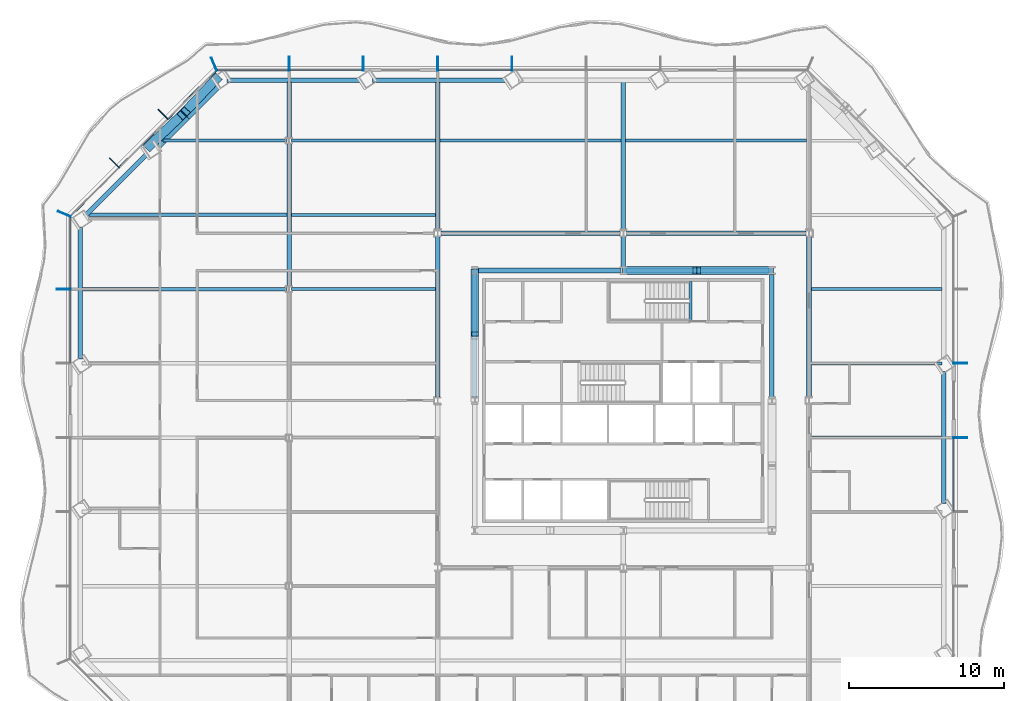
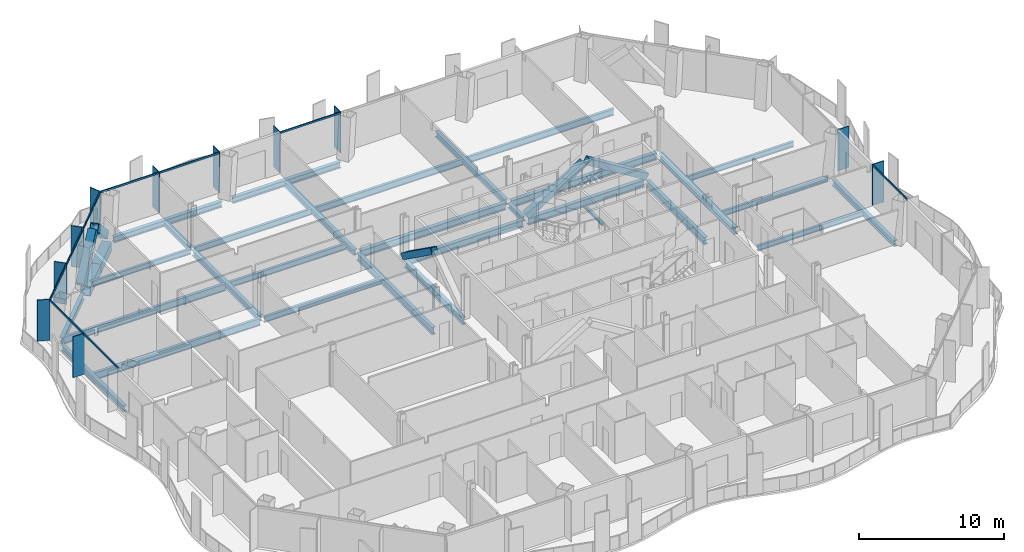
# One storey, part 3 of 20: 32 beams, 25 members, 4 elements without a shape of their own.
"""IFC4 building model written with IfcOpenShell, lengths in metres."""

from ifc_helpers import new_model, si_unit, direction, frame, origin, origin_2d, place, context, subcontext, project, spatial, rectangle, hollow_rectangle, i_section, extrude, material, material_profile, profile_set, type_object, element, aggregate, save


model = new_model("IFC4")

# Units and contexts
model_context = context("Model", 3, precision=1e-05, world=origin(), true_north=direction((0.0, 1.0)))
body_context = subcontext(model_context, "Body", "Model", "MODEL_VIEW")
ifc_project = project(units=[si_unit("LENGTHUNIT", "METRE"), si_unit("AREAUNIT", "SQUARE_METRE"), si_unit("VOLUMEUNIT", "CUBIC_METRE"), si_unit("PLANEANGLEUNIT", "RADIAN"), si_unit("MASSUNIT", "GRAM", prefix="KILO")], contexts=[model_context])

# Site, building, storey
site_placement = place(None, origin())
site = spatial("IfcSite", under=ifc_project, at=site_placement, CompositionType="ELEMENT")
building_placement = place(site_placement, origin())
building = spatial("IfcBuilding", under=site, at=building_placement, Name="Cairn Pilgrim Tower", CompositionType="ELEMENT")
storey_placement = place(building_placement, frame((0.0, 0.0, 87.0)))
storey = spatial("IfcBuildingStorey", under=building, at=storey_placement, Name="L20", CompositionType="ELEMENT", Elevation=87.0)

# Members
ifc_material_1 = material(Name="Structural steel S460M", Category="steel")
ifc_material_profile_1 = material_profile(ifc_material_1, hollow_rectangle(XDim=0.5, YDim=0.5, WallThickness=0.030029296875, at=origin_2d()), Name="BOX 500x500x30")
ifc_profile_set_1 = profile_set([ifc_material_profile_1], Name="Structural steel S460M")
member_type_1 = type_object("IfcMemberType", Name="BOX 500x500x30 BRACE", PredefinedType="BRACE", material=ifc_profile_set_1)
member_1_placement = place(storey_placement, frame((16.75634765625, 10.800048828125, 0.10009765625), z_axis=(-0.851022151122, 0.0, 0.52512979186), x_axis=(0.0, -1.0, 0.0)))
element("IfcMember", 1, at=member_1_placement, inside=storey, type_object=member_type_1, Name="KB-3A", PredefinedType="BRACE", context=body_context, shape_type="SweptSolid", body=[
    extrude(hollow_rectangle(XDim=0.5, YDim=0.5, WallThickness=0.030029296875, at=origin_2d()), origin(), (0.0, 0.0, 1.0), 5.5263671875),
])
member_2_placement = place(storey_placement, frame((7.24365234375, 10.800048828125, 0.10009765625), z_axis=(0.851007515624, 0.0, 0.525153509321), x_axis=(0.0, 1.0, 0.0)))
element("IfcMember", 2, at=member_2_placement, inside=storey, type_object=member_type_1, Name="KB-3B", PredefinedType="BRACE", context=body_context, shape_type="SweptSolid", body=[
    extrude(hollow_rectangle(XDim=0.5, YDim=0.5, WallThickness=0.030029296875, at=origin_2d()), origin(), (0.0, 0.0, 1.0), 5.37646484375),
])
member_3_placement = place(storey_placement, frame((-2.39990234375, 10.75634765625, 0.10009765625), z_axis=(0.0, -0.814198726233, 0.580586284889), x_axis=(1.0, 0.0, 0.0)))
element("IfcMember", 3, at=member_3_placement, inside=storey, type_object=member_type_1, Name="KB-4A", PredefinedType="BRACE", context=body_context, shape_type="SweptSolid", body=[
    extrude(hollow_rectangle(XDim=0.5, YDim=0.5, WallThickness=0.030029296875, at=origin_2d()), origin(), (0.0, 0.0, 1.0), 4.99658203125),
])
ifc_material_profile_2 = material_profile(ifc_material_1, hollow_rectangle(XDim=0.60009765625, YDim=0.60009765625, WallThickness=0.034912109375, at=origin_2d()), Name="BOX 600x600x35")
ifc_profile_set_2 = profile_set([ifc_material_profile_2], Name="Structural steel S460M")
member_type_2 = type_object("IfcMemberType", Name="BOX 600x600x35 BRACE", PredefinedType="BRACE", material=ifc_profile_set_2)
for number, where, z_axis, x_axis, name in (
    (4, (-19.078125, 23.2236328125, 0.14990234375), (-0.514650291012, -0.542968369226, 0.663566445792), (0.725779676065, -0.687927221304, 0.0), "XB-NW1-NW2-1"),
    (5, (-23.4873046875, 18.814697265625, 0.14990234375), (0.542968369226, 0.514650291012, 0.663566445792), (-0.687927221304, 0.725779676065, 0.0), "XB-NW1-NW2-2"),
):
    element("IfcMember", number, at=place(storey_placement, frame(where, z_axis=z_axis, x_axis=x_axis)), inside=storey, type_object=member_type_2, Name=name, PredefinedType="BRACE", context=body_context, shape_type="SweptSolid", body=[
        extrude(hollow_rectangle(XDim=0.60009765625, YDim=0.60009765625, WallThickness=0.034912109375, at=origin_2d()), origin(), (0.0, 0.0, 1.0), 3.9658203125),
    ])

# Beams
ifc_material_2 = material(Name="Structural steel S355J2", Category="steel")
ifc_material_profile_3 = material_profile(ifc_material_2, hollow_rectangle(XDim=0.699951171875, YDim=0.800048828125, WallThickness=0.0400390625, at=origin_2d()), Name="BOX 700x800x40")
ifc_profile_set_3 = profile_set([ifc_material_profile_3], Name="Structural steel S355J2")
beam_type_1 = type_object("IfcBeamType", Name="BOX 700x800x40 RING GIRDER", PredefinedType="SPANDREL", material=ifc_profile_set_3)
beam_1_placement = place(storey_placement, frame((-19.113525390625, 22.813720703125, -0.550048828125), z_axis=(-0.707106781187, -0.707106781187, 0.0), x_axis=(0.707106781187, -0.707106781187, 0.0)))
element("IfcBeam", 6, at=beam_1_placement, inside=storey, type_object=beam_type_1, Name="RG1-NW1-NW2-1", PredefinedType="SPANDREL", context=body_context, shape_type="SweptSolid", body=[
    extrude(hollow_rectangle(XDim=0.699951171875, YDim=0.800048828125, WallThickness=0.0400390625, at=origin_2d()), origin(), (0.0, 0.0, 1.0), 2.802978515625),
])
beam_2_placement = place(storey_placement, frame((-21.095458984375, 20.831787109375, -0.550048828125), z_axis=(-0.707106781187, -0.707106781187, 0.0), x_axis=(0.707106781187, -0.707106781187, 0.0)))
element("IfcBeam", 7, at=beam_2_placement, inside=storey, type_object=beam_type_1, Name="RG1-NW1-NW2-2", PredefinedType="SPANDREL", context=body_context, shape_type="SweptSolid", body=[
    extrude(hollow_rectangle(XDim=0.699951171875, YDim=0.800048828125, WallThickness=0.0400390625, at=origin_2d()), origin(), (0.0, 0.0, 1.0), 2.802490234375),
])

# Curtain wall, members
ifc_material_3 = material(Name="Aluminium alloy 6063-T6 bronze anodised with Bronze tinted laminated low-E glass 8+16+8.8", Category="aluminium")
curtain_wall_type_1 = type_object("IfcCurtainWallType", Name="TOWER STICK CURTAIN WALL EW", PredefinedType="NOTDEFINED", material=ifc_material_3)
curtain_wall_1_placement = place(storey_placement, origin())
curtain_wall_1 = element("IfcCurtainWall", 8, at=curtain_wall_1_placement, inside=storey, type_object=curtain_wall_type_1, Name="Tower Stick Curtain Wall Ew E", PredefinedType="NOTDEFINED")
ifc_material_4 = material(Name="Aluminium alloy 6063-T6 bronze anodised", Category="aluminium")
ifc_material_profile_4 = material_profile(ifc_material_4, rectangle(XDim=0.89990234375, YDim=0.06005859375, at=origin_2d()), Name="FIN MULLION 60x900 BRONZE")
ifc_profile_set_4 = profile_set([ifc_material_profile_4], Name="Aluminium alloy 6063-T6 bronze anodised")
member_type_3 = type_object("IfcMemberType", Name="FIN MULLION 60x900 BRONZE", PredefinedType="MULLION", material=ifc_profile_set_4)
member_4_placement = place(storey_placement, frame((28.969970703125, 0.0, 0.0), z_axis=(0.0, 0.0, 1.0), x_axis=(1.0, 0.0, 0.0)))
member_4 = element("IfcMember", 9, at=member_4_placement, type_object=member_type_3, Name="Fin mullion E4", PredefinedType="MULLION", context=body_context, shape_type="SweptSolid", body=[
    extrude(rectangle(XDim=0.89990234375, YDim=0.06005859375, at=origin_2d()), origin(), (0.0, 0.0, 1.0), 3.449951171875),
])
member_5_placement = place(storey_placement, frame((28.969970703125, 4.800048828125, 0.0), z_axis=(0.0, 0.0, 1.0), x_axis=(1.0, 0.0, 0.0)))
member_5 = element("IfcMember", 10, at=member_5_placement, type_object=member_type_3, Name="Fin mullion E5", PredefinedType="MULLION", context=body_context, shape_type="SweptSolid", body=[
    extrude(rectangle(XDim=0.89990234375, YDim=0.06005859375, at=origin_2d()), origin(), (0.0, 0.0, 1.0), 3.449951171875),
])

curtain_wall_type_2 = type_object("IfcCurtainWallType", Name="TOWER STICK CURTAIN WALL NS", PredefinedType="NOTDEFINED", material=ifc_material_3)
curtain_wall_2_placement = place(storey_placement, origin())
curtain_wall_2 = element("IfcCurtainWall", 11, at=curtain_wall_2_placement, inside=storey, type_object=curtain_wall_type_2, Name="Tower Stick Curtain Wall Ns N", PredefinedType="NOTDEFINED")
member_6_placement = place(storey_placement, frame((0.0, 24.169921875, 0.0), z_axis=(0.0, 0.0, 1.0), x_axis=(0.0, 1.0, 0.0)))
member_6 = element("IfcMember", 12, at=member_6_placement, type_object=member_type_3, Name="Fin mullion N5", PredefinedType="MULLION", context=body_context, shape_type="SweptSolid", body=[
    extrude(rectangle(XDim=0.89990234375, YDim=0.06005859375, at=origin_2d()), origin(), (0.0, 0.0, 1.0), 3.449951171875),
])
member_7_placement = place(storey_placement, frame((-4.800048828125, 24.169921875, 0.0), z_axis=(0.0, 0.0, 1.0), x_axis=(0.0, 1.0, 0.0)))
member_7 = element("IfcMember", 13, at=member_7_placement, type_object=member_type_3, Name="Fin mullion N6", PredefinedType="MULLION", context=body_context, shape_type="SweptSolid", body=[
    extrude(rectangle(XDim=0.89990234375, YDim=0.06005859375, at=origin_2d()), origin(), (0.0, 0.0, 1.0), 3.449951171875),
])
member_8_placement = place(storey_placement, frame((-9.60009765625, 24.169921875, 0.0), z_axis=(0.0, 0.0, 1.0), x_axis=(0.0, 1.0, 0.0)))
member_8 = element("IfcMember", 14, at=member_8_placement, type_object=member_type_3, Name="Fin mullion N7", PredefinedType="MULLION", context=body_context, shape_type="SweptSolid", body=[
    extrude(rectangle(XDim=0.89990234375, YDim=0.06005859375, at=origin_2d()), origin(), (0.0, 0.0, 1.0), 3.449951171875),
])
member_9_placement = place(storey_placement, frame((-14.39990234375, 24.169921875, 0.0), z_axis=(0.0, 0.0, 1.0), x_axis=(0.0, 1.0, 0.0)))
member_9 = element("IfcMember", 15, at=member_9_placement, type_object=member_type_3, Name="Fin mullion N8", PredefinedType="MULLION", context=body_context, shape_type="SweptSolid", body=[
    extrude(rectangle(XDim=0.89990234375, YDim=0.06005859375, at=origin_2d()), origin(), (0.0, 0.0, 1.0), 3.449951171875),
])

curtain_wall_type_3 = type_object("IfcCurtainWallType", Name="CHAMFER CORNER CURTAIN WALL", PredefinedType="NOTDEFINED", material=ifc_material_3)
curtain_wall_3_placement = place(storey_placement, origin())
curtain_wall_3 = element("IfcCurtainWall", 16, at=curtain_wall_3_placement, inside=storey, type_object=curtain_wall_type_3, Name="Chamfer Corner Curtain Wall NW", PredefinedType="NOTDEFINED")
member_10_placement = place(storey_placement, frame((-19.257080078125, 24.137939453125, 0.0), z_axis=(0.0, 0.0, 1.0), x_axis=(-0.382683432365, 0.923879532511, 0.0)))
member_10 = element("IfcMember", 17, at=member_10_placement, type_object=member_type_3, Name="Fin mullion NW1", PredefinedType="MULLION", context=body_context, shape_type="SweptSolid", body=[
    extrude(rectangle(XDim=0.89990234375, YDim=0.06005859375, at=origin_2d()), origin(), (0.0, 0.0, 1.0), 3.449951171875),
])
member_11_placement = place(storey_placement, frame((-22.544677734375, 20.895751953125, 0.0), z_axis=(0.0, 0.0, 1.0), x_axis=(-0.707106781187, 0.707106781187, 0.0)))
member_11 = element("IfcMember", 18, at=member_11_placement, type_object=member_type_3, Name="Fin mullion NW2", PredefinedType="MULLION", context=body_context, shape_type="SweptSolid", body=[
    extrude(rectangle(XDim=0.89990234375, YDim=0.06005859375, at=origin_2d()), origin(), (0.0, 0.0, 1.0), 3.449951171875),
])
member_12_placement = place(storey_placement, frame((-25.69580078125, 17.74462890625, 0.0), z_axis=(0.0, 0.0, 1.0), x_axis=(-0.707106781187, 0.707106781187, 0.0)))
member_12 = element("IfcMember", 19, at=member_12_placement, type_object=member_type_3, Name="Fin mullion NW3", PredefinedType="MULLION", context=body_context, shape_type="SweptSolid", body=[
    extrude(rectangle(XDim=0.89990234375, YDim=0.06005859375, at=origin_2d()), origin(), (0.0, 0.0, 1.0), 3.449951171875),
])

curtain_wall_4_placement = place(storey_placement, origin())
curtain_wall_4 = element("IfcCurtainWall", 20, at=curtain_wall_4_placement, inside=storey, type_object=curtain_wall_type_1, Name="Tower Stick Curtain Wall Ew W", PredefinedType="NOTDEFINED")
member_13_placement = place(storey_placement, frame((-28.93798828125, 14.457275390625, 0.0), z_axis=(0.0, 0.0, 1.0), x_axis=(-0.923879532511, 0.382683432365, 0.0)))
member_13 = element("IfcMember", 21, at=member_13_placement, type_object=member_type_3, Name="Fin mullion W1", PredefinedType="MULLION", context=body_context, shape_type="SweptSolid", body=[
    extrude(rectangle(XDim=0.89990234375, YDim=0.06005859375, at=origin_2d()), origin(), (0.0, 0.0, 1.0), 3.449951171875),
])
member_14_placement = place(storey_placement, frame((-28.969970703125, 9.60009765625, 0.0), z_axis=(0.0, 0.0, 1.0), x_axis=(-1.0, 0.0, 0.0)))
member_14 = element("IfcMember", 22, at=member_14_placement, type_object=member_type_3, Name="Fin mullion W2", PredefinedType="MULLION", context=body_context, shape_type="SweptSolid", body=[
    extrude(rectangle(XDim=0.89990234375, YDim=0.06005859375, at=origin_2d()), origin(), (0.0, 0.0, 1.0), 3.449951171875),
])

# Beams
ifc_material_profile_5 = material_profile(ifc_material_2, i_section(OverallWidth=0.300048828125, OverallDepth=0.39990234375, WebThickness=0.013427734375, FlangeThickness=0.02392578125, FilletRadius=0.027099609375, at=origin_2d()), Name="HEB 400")
ifc_profile_set_5 = profile_set([ifc_material_profile_5], Name="Structural steel S355J2")
beam_type_2 = type_object("IfcBeamType", Name="HEB 400 GIRDER", PredefinedType="BEAM", material=ifc_profile_set_5)
beam_3_placement = place(storey_placement, frame((-14.39990234375, 19.404541015625, -0.35009765625), z_axis=(0.0, 1.0, 0.0), x_axis=(-1.0, 0.0, 0.0)))
element("IfcBeam", 23, at=beam_3_placement, inside=storey, type_object=beam_type_2, Name="PG1-6", PredefinedType="BEAM", context=body_context, shape_type="SweptSolid", body=[
    extrude(i_section(OverallWidth=0.300048828125, OverallDepth=0.39990234375, WebThickness=0.013427734375, FlangeThickness=0.02392578125, FilletRadius=0.027099609375, at=origin_2d()), origin(), (0.0, 0.0, 1.0), 3.575439453125),
])
beam_4_placement = place(storey_placement, frame((7.199951171875, 11.0185546875, -0.35009765625), z_axis=(0.0, 1.0, 0.0), x_axis=(-1.0, 0.0, 0.0)))
element("IfcBeam", 24, at=beam_4_placement, inside=storey, type_object=beam_type_2, Name="PG3-E2", PredefinedType="BEAM", context=body_context, shape_type="SweptSolid", body=[
    extrude(i_section(OverallWidth=0.300048828125, OverallDepth=0.39990234375, WebThickness=0.013427734375, FlangeThickness=0.02392578125, FilletRadius=0.027099609375, at=origin_2d()), origin(), (0.0, 0.0, 1.0), 1.969482421875),
])
ifc_material_profile_6 = material_profile(ifc_material_2, i_section(OverallWidth=0.300048828125, OverallDepth=0.5, WebThickness=0.014404296875, FlangeThickness=0.028076171875, FilletRadius=0.027099609375, at=origin_2d()), Name="HEB 500")
ifc_profile_set_6 = profile_set([ifc_material_profile_6], Name="Structural steel S355J2")
beam_type_3 = type_object("IfcBeamType", Name="HEB 500 GIRDER", PredefinedType="BEAM", material=ifc_profile_set_6)
beam_5_placement = place(storey_placement, frame((-14.39990234375, 9.804443359375, -0.39990234375), z_axis=(0.0, 1.0, 0.0), x_axis=(-1.0, 0.0, 0.0)))
element("IfcBeam", 25, at=beam_5_placement, inside=storey, type_object=beam_type_3, Name="PG1-5", PredefinedType="BEAM", context=body_context, shape_type="SweptSolid", body=[
    extrude(i_section(OverallWidth=0.300048828125, OverallDepth=0.5, WebThickness=0.014404296875, FlangeThickness=0.028076171875, FilletRadius=0.027099609375, at=origin_2d()), origin(), (0.0, 0.0, 1.0), 9.191162109375),
])
for number, where, z_axis, x_axis, name in (
    (26, (-4.800048828125, 13.412109375, -0.39990234375), (0.0, 1.0, 0.0), (-1.0, 0.0, 0.0), "PG2-4"),
    (27, (7.199951171875, 13.412109375, -0.39990234375), (0.0, 1.0, 0.0), (-1.0, 0.0, 0.0), "PG3-2"),
):
    element("IfcBeam", number, at=place(storey_placement, frame(where, z_axis=z_axis, x_axis=x_axis)), inside=storey, type_object=beam_type_3, Name=name, PredefinedType="BEAM", context=body_context, shape_type="SweptSolid", body=[
        extrude(i_section(OverallWidth=0.300048828125, OverallDepth=0.5, WebThickness=0.014404296875, FlangeThickness=0.028076171875, FilletRadius=0.027099609375, at=origin_2d()), origin(), (0.0, 0.0, 1.0), 9.56787109375),
    ])
ifc_material_profile_7 = material_profile(ifc_material_2, i_section(OverallWidth=0.300048828125, OverallDepth=0.5, WebThickness=0.014404296875, FlangeThickness=0.028076171875, FilletRadius=0.027099609375, at=origin_2d()), Name="HEB 500")
ifc_profile_set_7 = profile_set([ifc_material_profile_7], Name="Structural steel S355J2")
beam_type_4 = type_object("IfcBeamType", Name="HEB 500 RING GIRDER", PredefinedType="SPANDREL", material=ifc_profile_set_7)
beam_6_placement = place(storey_placement, frame((27.89990234375, -4.270751953125, -0.39990234375), z_axis=(0.0, 1.0, 0.0), x_axis=(-1.0, 0.0, 0.0)))
element("IfcBeam", 28, at=beam_6_placement, inside=storey, type_object=beam_type_4, Name="RG1-E2-E3", PredefinedType="SPANDREL", context=body_context, shape_type="SweptSolid", body=[
    extrude(i_section(OverallWidth=0.300048828125, OverallDepth=0.5, WebThickness=0.014404296875, FlangeThickness=0.028076171875, FilletRadius=0.027099609375, at=origin_2d()), origin(), (0.0, 0.0, 1.0), 8.54150390625),
])
for number, where, z_axis, x_axis, name in (
    (29, (-0.405029296875, 23.10009765625, -0.39990234375), (-1.0, 0.0, 0.0), (0.0, -1.0, 0.0), "RG1-N3-N4"),
    (30, (-9.818603515625, 23.10009765625, -0.39990234375), (-1.0, 0.0, 0.0), (0.0, -1.0, 0.0), "RG1-N4-NW1"),
):
    element("IfcBeam", number, at=place(storey_placement, frame(where, z_axis=z_axis, x_axis=x_axis)), inside=storey, type_object=beam_type_4, Name=name, PredefinedType="SPANDREL", context=body_context, shape_type="SweptSolid", body=[
        extrude(i_section(OverallWidth=0.300048828125, OverallDepth=0.5, WebThickness=0.014404296875, FlangeThickness=0.028076171875, FilletRadius=0.027099609375, at=origin_2d()), origin(), (0.0, 0.0, 1.0), 8.603515625),
    ])
beam_7_placement = place(storey_placement, frame((-23.64990234375, 18.277099609375, -0.39990234375), z_axis=(-0.707128558756, -0.707085002947, 0.0), x_axis=(0.707085002947, -0.707128558756, 0.0)))
element("IfcBeam", 31, at=beam_7_placement, inside=storey, type_object=beam_type_4, Name="RG1-NW2-W1", PredefinedType="SPANDREL", context=body_context, shape_type="SweptSolid", body=[
    extrude(i_section(OverallWidth=0.300048828125, OverallDepth=0.5, WebThickness=0.014404296875, FlangeThickness=0.028076171875, FilletRadius=0.027099609375, at=origin_2d()), origin(), (0.0, 0.0, 1.0), 5.605224609375),
])
beam_8_placement = place(storey_placement, frame((-27.89990234375, 13.622314453125, -0.39990234375), z_axis=(0.0, -1.0, 0.0), x_axis=(1.0, 0.0, 0.0)))
element("IfcBeam", 32, at=beam_8_placement, inside=storey, type_object=beam_type_4, Name="RG1-W1-W2", PredefinedType="SPANDREL", context=body_context, shape_type="SweptSolid", body=[
    extrude(i_section(OverallWidth=0.300048828125, OverallDepth=0.5, WebThickness=0.014404296875, FlangeThickness=0.028076171875, FilletRadius=0.027099609375, at=origin_2d()), origin(), (0.0, 0.0, 1.0), 8.54150390625),
])
ifc_material_profile_8 = material_profile(ifc_material_2, i_section(OverallWidth=0.300048828125, OverallDepth=0.60009765625, WebThickness=0.015380859375, FlangeThickness=0.030029296875, FilletRadius=0.027099609375, at=origin_2d()), Name="HEB 600")
ifc_profile_set_8 = profile_set([ifc_material_profile_8], Name="Structural steel S355J2")
beam_type_5 = type_object("IfcBeamType", Name="HEB 600 CORE BEAM", PredefinedType="BEAM", material=ifc_profile_set_8)
beam_9_placement = place(storey_placement, frame((16.800048828125, 2.5966796875, -0.449951171875), z_axis=(0.0, 1.0, 0.0), x_axis=(-1.0, 0.0, 0.0)))
element("IfcBeam", 33, at=beam_9_placement, inside=storey, type_object=beam_type_5, Name="CB-4", PredefinedType="BEAM", context=body_context, shape_type="SweptSolid", body=[
    extrude(i_section(OverallWidth=0.300048828125, OverallDepth=0.60009765625, WebThickness=0.015380859375, FlangeThickness=0.030029296875, FilletRadius=0.027099609375, at=origin_2d()), origin(), (0.0, 0.0, 1.0), 8.0068359375),
])
beam_10_placement = place(storey_placement, frame((16.603271484375, 10.800048828125, -0.449951171875), z_axis=(-1.0, 0.0, 0.0), x_axis=(0.0, -1.0, 0.0)))
element("IfcBeam", 34, at=beam_10_placement, inside=storey, type_object=beam_type_5, Name="CB-5", PredefinedType="BEAM", context=body_context, shape_type="SweptSolid", body=[
    extrude(i_section(OverallWidth=0.300048828125, OverallDepth=0.60009765625, WebThickness=0.015380859375, FlangeThickness=0.030029296875, FilletRadius=0.027099609375, at=origin_2d()), origin(), (0.0, 0.0, 1.0), 9.20654296875),
])
beam_11_placement = place(storey_placement, frame((7.00341796875, 10.800048828125, -0.449951171875), z_axis=(-1.0, 0.0, 0.0), x_axis=(0.0, -1.0, 0.0)))
element("IfcBeam", 35, at=beam_11_placement, inside=storey, type_object=beam_type_5, Name="CB-6", PredefinedType="BEAM", context=body_context, shape_type="SweptSolid", body=[
    extrude(i_section(OverallWidth=0.300048828125, OverallDepth=0.60009765625, WebThickness=0.015380859375, FlangeThickness=0.030029296875, FilletRadius=0.027099609375, at=origin_2d()), origin(), (0.0, 0.0, 1.0), 9.206787109375),
])
beam_12_placement = place(storey_placement, frame((-2.39990234375, 10.603515625, -0.449951171875), z_axis=(0.0, -1.0, 0.0), x_axis=(1.0, 0.0, 0.0)))
element("IfcBeam", 36, at=beam_12_placement, inside=storey, type_object=beam_type_5, Name="CB-7", PredefinedType="BEAM", context=body_context, shape_type="SweptSolid", body=[
    extrude(i_section(OverallWidth=0.300048828125, OverallDepth=0.60009765625, WebThickness=0.015380859375, FlangeThickness=0.030029296875, FilletRadius=0.027099609375, at=origin_2d()), origin(), (0.0, 0.0, 1.0), 8.0068359375),
])
ifc_material_profile_9 = material_profile(ifc_material_2, i_section(OverallWidth=0.300048828125, OverallDepth=0.60009765625, WebThickness=0.015380859375, FlangeThickness=0.030029296875, FilletRadius=0.027099609375, at=origin_2d()), Name="HEB 600")
ifc_profile_set_9 = profile_set([ifc_material_profile_9], Name="Structural steel S355J2")
beam_type_6 = type_object("IfcBeamType", Name="HEB 600 GIRDER", PredefinedType="BEAM", material=ifc_profile_set_9)
for number, where, z_axis, x_axis, name in (
    (37, (-4.800048828125, 2.612060546875, -0.449951171875), (0.0, 1.0, 0.0), (-1.0, 0.0, 0.0), "PG2-3"),
    (38, (19.199951171875, 2.612060546875, -0.449951171875), (0.0, 1.0, 0.0), (-1.0, 0.0, 0.0), "PG4-3"),
):
    element("IfcBeam", number, at=place(storey_placement, frame(where, z_axis=z_axis, x_axis=x_axis)), inside=storey, type_object=beam_type_6, Name=name, PredefinedType="BEAM", context=body_context, shape_type="SweptSolid", body=[
        extrude(i_section(OverallWidth=0.300048828125, OverallDepth=0.60009765625, WebThickness=0.015380859375, FlangeThickness=0.030029296875, FilletRadius=0.027099609375, at=origin_2d()), origin(), (0.0, 0.0, 1.0), 10.3759765625),
    ])
ifc_material_profile_10 = material_profile(ifc_material_2, i_section(OverallWidth=0.300048828125, OverallDepth=0.60009765625, WebThickness=0.015380859375, FlangeThickness=0.030029296875, FilletRadius=0.027099609375, at=origin_2d()), Name="HEB 600")
ifc_profile_set_10 = profile_set([ifc_material_profile_10], Name="Structural steel S355J2")
beam_type_7 = type_object("IfcBeamType", Name="HEB 600 INNER GIRDER", PredefinedType="BEAM", material=ifc_profile_set_10)
for number, where, z_axis, x_axis, name in (
    (39, (-4.587890625, 13.199951171875, -0.449951171875), (1.0, 0.0, 0.0), (0.0, 1.0, 0.0), "IG2-1"),
    (40, (7.412109375, 13.199951171875, -0.449951171875), (1.0, 0.0, 0.0), (0.0, 1.0, 0.0), "IG2-2"),
):
    element("IfcBeam", number, at=place(storey_placement, frame(where, z_axis=z_axis, x_axis=x_axis)), inside=storey, type_object=beam_type_7, Name=name, PredefinedType="BEAM", context=body_context, shape_type="SweptSolid", body=[
        extrude(i_section(OverallWidth=0.300048828125, OverallDepth=0.60009765625, WebThickness=0.015380859375, FlangeThickness=0.030029296875, FilletRadius=0.027099609375, at=origin_2d()), origin(), (0.0, 0.0, 1.0), 11.575927734375),
    ])
ifc_material_profile_11 = material_profile(ifc_material_2, i_section(OverallWidth=0.18994140625, OverallDepth=0.449951171875, WebThickness=0.009521484375, FlangeThickness=0.0146484375, FilletRadius=0.02099609375, at=origin_2d()), Name="IPE 450")
ifc_profile_set_11 = profile_set([ifc_material_profile_11], Name="Structural steel S355J2")
beam_type_8 = type_object("IfcBeamType", Name="IPE 450 SECONDARY BEAM", PredefinedType="JOIST", material=ifc_profile_set_11)
for number, where, z_axis, x_axis, name in (
    (41, (19.35009765625, 0.0, -0.375), (1.0, 0.0, 0.0), (0.0, 1.0, 0.0), "SB5-3"),
    (42, (19.35009765625, 4.800048828125, -0.375), (1.0, 0.0, 0.0), (0.0, 1.0, 0.0), "SB6-3"),
    (43, (19.35009765625, 9.60009765625, -0.375), (1.0, 0.0, 0.0), (0.0, 1.0, 0.0), "SB7-3"),
):
    element("IfcBeam", number, at=place(storey_placement, frame(where, z_axis=z_axis, x_axis=x_axis)), inside=storey, type_object=beam_type_8, Name=name, PredefinedType="JOIST", context=body_context, shape_type="SweptSolid", body=[
        extrude(i_section(OverallWidth=0.18994140625, OverallDepth=0.449951171875, WebThickness=0.009521484375, FlangeThickness=0.0146484375, FilletRadius=0.02099609375, at=origin_2d()), origin(), (0.0, 0.0, 1.0), 8.429931640625),
    ])
beam_13_placement = place(storey_placement, frame((-22.545166015625, 19.199951171875, -0.375), z_axis=(1.0, 0.0, 0.0), x_axis=(0.0, 1.0, 0.0)))
element("IfcBeam", 44, at=beam_13_placement, inside=storey, type_object=beam_type_8, Name="SB9-1", PredefinedType="JOIST", context=body_context, shape_type="SweptSolid", body=[
    extrude(i_section(OverallWidth=0.18994140625, OverallDepth=0.449951171875, WebThickness=0.009521484375, FlangeThickness=0.0146484375, FilletRadius=0.02099609375, at=origin_2d()), origin(), (0.0, 0.0, 1.0), 7.9951171875),
])
ifc_material_profile_12 = material_profile(ifc_material_2, i_section(OverallWidth=0.199951171875, OverallDepth=0.5, WebThickness=0.01025390625, FlangeThickness=0.01611328125, FilletRadius=0.02099609375, at=origin_2d()), Name="IPE 500")
ifc_profile_set_12 = profile_set([ifc_material_profile_12], Name="Structural steel S355J2")
beam_type_9 = type_object("IfcBeamType", Name="IPE 500 SECONDARY BEAM", PredefinedType="JOIST", material=ifc_profile_set_12)
for number, where, z_axis, x_axis, name in (
    (45, (-14.25, 9.60009765625, -0.39990234375), (1.0, 0.0, 0.0), (0.0, 1.0, 0.0), "SB7-2"),
    (46, (-14.25, 14.39990234375, -0.39990234375), (1.0, 0.0, 0.0), (0.0, 1.0, 0.0), "SB8-2"),
    (47, (-14.25, 19.199951171875, -0.39990234375), (1.0, 0.0, 0.0), (0.0, 1.0, 0.0), "SB9-2"),
):
    element("IfcBeam", number, at=place(storey_placement, frame(where, z_axis=z_axis, x_axis=x_axis)), inside=storey, type_object=beam_type_9, Name=name, PredefinedType="JOIST", context=body_context, shape_type="SweptSolid", body=[
        extrude(i_section(OverallWidth=0.199951171875, OverallDepth=0.5, WebThickness=0.01025390625, FlangeThickness=0.01611328125, FilletRadius=0.02099609375, at=origin_2d()), origin(), (0.0, 0.0, 1.0), 9.300048828125),
    ])
ifc_material_profile_13 = material_profile(ifc_material_2, i_section(OverallWidth=0.2099609375, OverallDepth=0.550048828125, WebThickness=0.010986328125, FlangeThickness=0.01708984375, FilletRadius=0.02392578125, at=origin_2d()), Name="IPE 550")
ifc_profile_set_13 = profile_set([ifc_material_profile_13], Name="Structural steel S355J2")
beam_type_10 = type_object("IfcBeamType", Name="IPE 550 SECONDARY BEAM", PredefinedType="JOIST", material=ifc_profile_set_13)
for number, where, z_axis, x_axis, name in (
    (48, (-4.64990234375, 19.199951171875, -0.425048828125), (1.0, 0.0, 0.0), (0.0, 1.0, 0.0), "SB9-3"),
    (49, (7.35009765625, 19.199951171875, -0.425048828125), (1.0, 0.0, 0.0), (0.0, 1.0, 0.0), "SB9-4"),
):
    element("IfcBeam", number, at=place(storey_placement, frame(where, z_axis=z_axis, x_axis=x_axis)), inside=storey, type_object=beam_type_10, Name=name, PredefinedType="JOIST", context=body_context, shape_type="SweptSolid", body=[
        extrude(i_section(OverallWidth=0.2099609375, OverallDepth=0.550048828125, WebThickness=0.010986328125, FlangeThickness=0.01708984375, FilletRadius=0.02392578125, at=origin_2d()), origin(), (0.0, 0.0, 1.0), 11.699951171875),
    ])
ifc_material_profile_14 = material_profile(ifc_material_2, i_section(OverallWidth=0.219970703125, OverallDepth=0.60009765625, WebThickness=0.011962890625, FlangeThickness=0.01904296875, FilletRadius=0.02392578125, at=origin_2d()), Name="IPE 600")
ifc_profile_set_14 = profile_set([ifc_material_profile_14], Name="Structural steel S355J2")
beam_type_11 = type_object("IfcBeamType", Name="IPE 600 SECONDARY BEAM", PredefinedType="JOIST", material=ifc_profile_set_14)
beam_14_placement = place(storey_placement, frame((-27.780029296875, 9.60009765625, -0.449951171875), z_axis=(1.0, 0.0, 0.0), x_axis=(0.0, 1.0, 0.0)))
element("IfcBeam", 50, at=beam_14_placement, inside=storey, type_object=beam_type_11, Name="SB7-1", PredefinedType="JOIST", context=body_context, shape_type="SweptSolid", body=[
    extrude(i_section(OverallWidth=0.219970703125, OverallDepth=0.60009765625, WebThickness=0.011962890625, FlangeThickness=0.01904296875, FilletRadius=0.02392578125, at=origin_2d()), origin(), (0.0, 0.0, 1.0), 13.22998046875),
])
beam_15_placement = place(storey_placement, frame((-27.34521484375, 14.39990234375, -0.449951171875), z_axis=(1.0, 0.0, 0.0), x_axis=(0.0, 1.0, 0.0)))
element("IfcBeam", 51, at=beam_15_placement, inside=storey, type_object=beam_type_11, Name="SB8-1", PredefinedType="JOIST", context=body_context, shape_type="SweptSolid", body=[
    extrude(i_section(OverallWidth=0.219970703125, OverallDepth=0.60009765625, WebThickness=0.011962890625, FlangeThickness=0.01904296875, FilletRadius=0.02392578125, at=origin_2d()), origin(), (0.0, 0.0, 1.0), 12.795166015625),
])
ifc_material_profile_15 = material_profile(ifc_material_2, i_section(OverallWidth=0.199951171875, OverallDepth=0.199951171875, WebThickness=0.009033203125, FlangeThickness=0.014892578125, FilletRadius=0.01806640625, at=origin_2d()), Name="HE 200 B")
ifc_profile_set_15 = profile_set([ifc_material_profile_15], Name="Structural steel S355J2")
beam_type_12 = type_object("IfcBeamType", Name="STAIR LANDING BEAM HE 200 B", PredefinedType="BEAM", material=ifc_profile_set_15)
beam_16_placement = place(storey_placement, frame((11.5244140625, 10.10009765625, -0.25), z_axis=(0.0, -1.0, 0.0), x_axis=(1.0, 0.0, 0.0)))
element("IfcBeam", 52, at=beam_16_placement, inside=storey, type_object=beam_type_12, Name="STAIR LANDING BEAM LD-HE200B", PredefinedType="BEAM", context=body_context, shape_type="SweptSolid", body=[
    extrude(i_section(OverallWidth=0.199951171875, OverallDepth=0.199951171875, WebThickness=0.009033203125, FlangeThickness=0.014892578125, FilletRadius=0.01806640625, at=origin_2d()), origin(), (0.0, 0.0, 1.0), 2.525146484375),
])

# Member
ifc_material_profile_16 = material_profile(ifc_material_4, rectangle(XDim=0.080078125, YDim=0.14990234375, at=origin_2d()), Name="TRANSOM 80x150 BRONZE")
ifc_profile_set_16 = profile_set([ifc_material_profile_16], Name="Aluminium alloy 6063-T6 bronze anodised")
member_type_4 = type_object("IfcMemberType", Name="TRANSOM 80x150 BRONZE", PredefinedType="USERDEFINED", material=ifc_profile_set_16)
member_15_placement = place(storey_placement, frame((28.550048828125, -4.77001953125, 3.375), z_axis=(0.0, 1.0, 0.0), x_axis=(-1.0, 0.0, 0.0)))
member_15 = element("IfcMember", 53, at=member_15_placement, type_object=member_type_4, Name="Transom E3", ObjectType="TRANSOM", PredefinedType="USERDEFINED", context=body_context, shape_type="SweptSolid", body=[
    extrude(rectangle(XDim=0.080078125, YDim=0.14990234375, at=origin_2d()), origin(), (0.0, 0.0, 1.0), 4.739990234375),
])

aggregate(curtain_wall_1, [member_4, member_5, member_15])

member_16_placement = place(storey_placement, frame((-0.030029296875, 23.75, 3.375), z_axis=(-1.0, 0.0, 0.0), x_axis=(0.0, -1.0, 0.0)))
member_16 = element("IfcMember", 54, at=member_16_placement, type_object=member_type_4, Name="Transom N5", ObjectType="TRANSOM", PredefinedType="USERDEFINED", context=body_context, shape_type="SweptSolid", body=[
    extrude(rectangle(XDim=0.080078125, YDim=0.14990234375, at=origin_2d()), origin(), (0.0, 0.0, 1.0), 4.739990234375),
])

member_17_placement = place(storey_placement, frame((-9.6298828125, 23.75, 3.375), z_axis=(-1.0, 0.0, 0.0), x_axis=(0.0, -1.0, 0.0)))
member_17 = element("IfcMember", 55, at=member_17_placement, type_object=member_type_4, Name="Transom N7", ObjectType="TRANSOM", PredefinedType="USERDEFINED", context=body_context, shape_type="SweptSolid", body=[
    extrude(rectangle(XDim=0.080078125, YDim=0.14990234375, at=origin_2d()), origin(), (0.0, 0.0, 1.0), 4.740234375),
])

member_18_placement = place(storey_placement, frame((-14.429931640625, 23.75, 3.375), z_axis=(-1.0, 0.0, 0.0), x_axis=(0.0, -1.0, 0.0)))
member_18 = element("IfcMember", 56, at=member_18_placement, type_object=member_type_4, Name="Transom N8", ObjectType="TRANSOM", PredefinedType="USERDEFINED", context=body_context, shape_type="SweptSolid", body=[
    extrude(rectangle(XDim=0.080078125, YDim=0.14990234375, at=origin_2d()), origin(), (0.0, 0.0, 1.0), 4.62646484375),
])

aggregate(curtain_wall_2, [member_6, member_7, member_8, member_9, member_16, member_17, member_18])

member_19_placement = place(storey_placement, frame((-19.124755859375, 23.7216796875, 3.375), z_axis=(-0.707106781187, -0.707106781187, 0.0), x_axis=(0.707106781187, -0.707106781187, 0.0)))
member_19 = element("IfcMember", 57, at=member_19_placement, type_object=member_type_4, Name="Transom NW1", ObjectType="TRANSOM", PredefinedType="USERDEFINED", context=body_context, shape_type="SweptSolid", body=[
    extrude(rectangle(XDim=0.080078125, YDim=0.14990234375, at=origin_2d()), origin(), (0.0, 0.0, 1.0), 4.38623046875),
])

member_20_placement = place(storey_placement, frame((-22.268798828125, 20.57763671875, 3.375), z_axis=(-0.707106781187, -0.707106781187, 0.0), x_axis=(0.707106781187, -0.707106781187, 0.0)))
member_20 = element("IfcMember", 58, at=member_20_placement, type_object=member_type_4, Name="Transom NW2", ObjectType="TRANSOM", PredefinedType="USERDEFINED", context=body_context, shape_type="SweptSolid", body=[
    extrude(rectangle(XDim=0.080078125, YDim=0.14990234375, at=origin_2d()), origin(), (0.0, 0.0, 1.0), 4.396728515625),
])

member_21_placement = place(storey_placement, frame((-25.419921875, 17.426513671875, 3.375), z_axis=(-0.707106781187, -0.707106781187, 0.0), x_axis=(0.707106781187, -0.707106781187, 0.0)))
member_21 = element("IfcMember", 59, at=member_21_placement, type_object=member_type_4, Name="Transom NW3", ObjectType="TRANSOM", PredefinedType="USERDEFINED", context=body_context, shape_type="SweptSolid", body=[
    extrude(rectangle(XDim=0.080078125, YDim=0.14990234375, at=origin_2d()), origin(), (0.0, 0.0, 1.0), 4.38671875),
])

aggregate(curtain_wall_3, [member_10, member_11, member_12, member_19, member_20, member_21])

member_22_placement = place(storey_placement, frame((-28.550048828125, 14.25634765625, 3.375), z_axis=(0.0, -1.0, 0.0), x_axis=(1.0, 0.0, 0.0)))
member_22 = element("IfcMember", 60, at=member_22_placement, type_object=member_type_4, Name="Transom W1", ObjectType="TRANSOM", PredefinedType="USERDEFINED", context=body_context, shape_type="SweptSolid", body=[
    extrude(rectangle(XDim=0.080078125, YDim=0.14990234375, at=origin_2d()), origin(), (0.0, 0.0, 1.0), 4.62646484375),
])

member_23_placement = place(storey_placement, frame((-28.550048828125, 9.570068359375, 3.375), z_axis=(0.0, -1.0, 0.0), x_axis=(1.0, 0.0, 0.0)))
member_23 = element("IfcMember", 61, at=member_23_placement, type_object=member_type_4, Name="Transom W2", ObjectType="TRANSOM", PredefinedType="USERDEFINED", context=body_context, shape_type="SweptSolid", body=[
    extrude(rectangle(XDim=0.080078125, YDim=0.14990234375, at=origin_2d()), origin(), (0.0, 0.0, 1.0), 4.739990234375),
])

aggregate(curtain_wall_4, [member_13, member_14, member_22, member_23])

save(model, "model.ifc")
